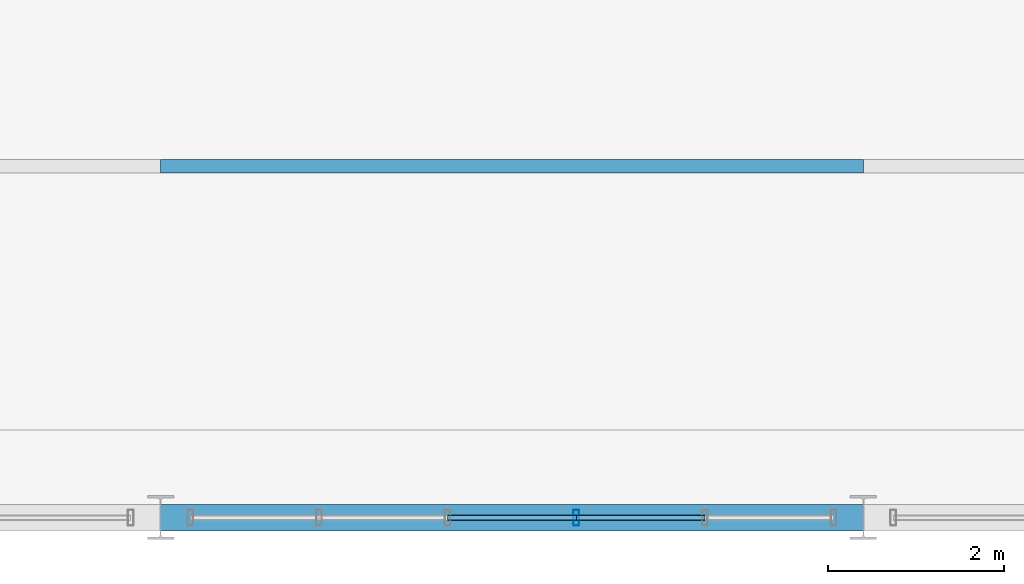
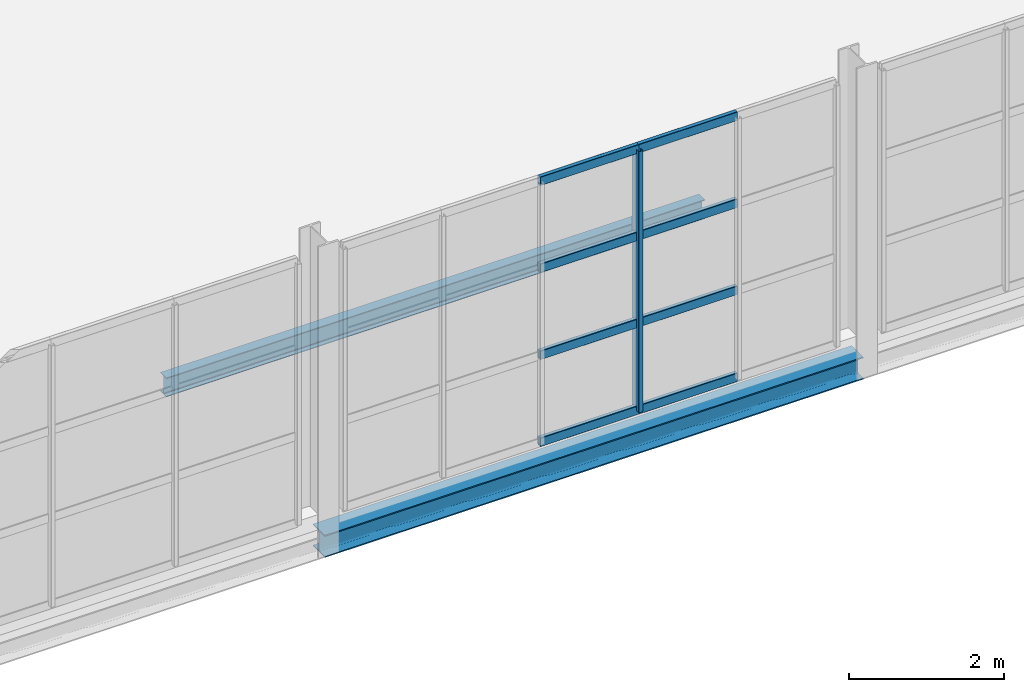
# One storey, part 67 of 153: 9 members, 2 beams, 1 element without a shape of its own.
"""IFC4 building model written with IfcOpenShell, lengths in metres."""

import ifcopenshell
import ifcopenshell.guid

model = None  # the IFC model being written
_history = None  # IfcOwnerHistory: only IFC2X3 demands one
_inside = {}  # id of a spatial element -> (the spatial element, [elements in it])
_under = {}  # id of a project, library or spatial element -> (it, [spatial elements below it])
_declared = {}  # id of a project -> (the project, [libraries it declares])
_typed = {}  # id of a type object -> (the type object, [elements of that type])
_made_of = {}  # id of a material, layer set ... -> (it, [elements and type objects made of it])


def new_model(schema):
    """Start an empty IFC model of exactly this schema.

    Asked for "IFC4X3", IfcOpenShell would pick the latest addendum, in which some entities
    have other attributes; the version numbers below select the first issue.
    IFC2X3 requires an IfcOwnerHistory on every rooted entity: one is made here for all.
    """
    global model, _history
    if schema == "IFC4X3":
        model = ifcopenshell.file(schema_version=(4, 3, 0, 0))
    else:
        model = ifcopenshell.file(schema=schema)
    _inside.clear()
    _under.clear()
    _declared.clear()
    _typed.clear()
    _made_of.clear()
    _history = None
    if model.schema == "IFC2X3":
        org = make("IfcOrganization", Name="unknown")
        user = make(
            "IfcPersonAndOrganization",
            ThePerson=make("IfcPerson", FamilyName="unknown"),
            TheOrganization=org,
        )
        app = make(
            "IfcApplication",
            ApplicationDeveloper=org,
            Version="unknown",
            ApplicationFullName="unknown",
            ApplicationIdentifier="unknown",
        )
        _history = make(
            "IfcOwnerHistory",
            OwningUser=user,
            OwningApplication=app,
            ChangeAction="ADDED",
            CreationDate=0,
        )
    return model


def make(cls, **values):
    """One entity of the class cls with the attributes given. An attribute that is None is left unset."""
    return model.create_entity(
        cls, **{name: value for name, value in values.items() if value is not None}
    )


def rooted(cls, **values):
    """An entity with a GlobalId (a new one), such as an element, a storey or a relation."""
    return make(cls, GlobalId=ifcopenshell.guid.new(), OwnerHistory=_history, **values)


def si_unit(unit_type, name, prefix=None):
    """IfcSIUnit, for example si_unit("LENGTHUNIT", "METRE", prefix="MILLI")."""
    return make("IfcSIUnit", UnitType=unit_type, Prefix=prefix, Name=name)


def derived_unit(unit_type, elements):
    """IfcDerivedUnit: a product of units, each with its exponent."""
    return make(
        "IfcDerivedUnit",
        Elements=[
            make("IfcDerivedUnitElement", Unit=unit, Exponent=power)
            for unit, power in elements
        ],
        UnitType=unit_type,
    )


def assignment(units):
    """IfcUnitAssignment: the units of a project."""
    return None if units is None else make("IfcUnitAssignment", Units=units)


def point(xyz):
    """IfcCartesianPoint."""
    return None if xyz is None else make("IfcCartesianPoint", Coordinates=xyz)


def direction(xyz):
    """IfcDirection."""
    return None if xyz is None else make("IfcDirection", DirectionRatios=xyz)


def frame(location, z_axis=None, x_axis=None):
    """IfcAxis2Placement3D, a coordinate frame: its origin and axes. An axis left out is left unset."""
    return make(
        "IfcAxis2Placement3D",
        Location=point(location),
        Axis=direction(z_axis),
        RefDirection=direction(x_axis),
    )


def frame_2d(location, x_axis=None):
    """IfcAxis2Placement2D, a coordinate frame in the plane: its origin and x axis."""
    return make(
        "IfcAxis2Placement2D", Location=point(location), RefDirection=direction(x_axis)
    )


def origin():
    """The frame at (0, 0, 0) with its axes left unset."""
    return frame((0.0, 0.0, 0.0))


def origin_2d():
    """The frame at (0, 0) in the plane with its x axis left unset."""
    return frame_2d((0.0, 0.0))


def place(relative_to, where):
    """IfcLocalPlacement: puts the frame where relative to a parent placement (None: the world)."""
    return make(
        "IfcLocalPlacement", PlacementRelTo=relative_to, RelativePlacement=where
    )


def context(
    kind, dimensions, precision=None, world=None, true_north=None, identifier=None
):
    """IfcGeometricRepresentationContext, for example the 3D "Model" context."""
    return make(
        "IfcGeometricRepresentationContext",
        ContextIdentifier=identifier,
        ContextType=kind,
        CoordinateSpaceDimension=dimensions,
        Precision=precision,
        WorldCoordinateSystem=world,
        TrueNorth=true_north,
    )


def subcontext(parent, identifier, kind, view, scale=None):
    """IfcGeometricRepresentationSubContext, for example "Body" below "Model"."""
    return make(
        "IfcGeometricRepresentationSubContext",
        ContextIdentifier=identifier,
        ContextType=kind,
        ParentContext=parent,
        TargetScale=scale,
        TargetView=view,
    )


def project(units=None, contexts=None):
    """IfcProject with its units and contexts."""
    return rooted(
        "IfcProject",
        Name="project",
        RepresentationContexts=contexts,
        UnitsInContext=assignment(units),
    )


def spatial(cls, under=None, at=None, **own):
    """A site, building, storey or space (cls), placed at a placement, below another one or the project."""
    s = rooted(cls, ObjectPlacement=at, **own)
    if under is not None:
        _under.setdefault(under.id(), (under, []))[1].append(s)
    return s


def profile(cls, at=None, kind="AREA", **sizes):
    """A parametric profile (cls). Its sizes go by their IFC names, for example OverallWidth=200.0."""
    return make(cls, ProfileType=kind, Position=at, **sizes)


def hollow_rectangle(**sizes):
    """IfcRectangleHollowProfileDef."""
    return profile("IfcRectangleHollowProfileDef", **sizes)


def i_section(**sizes):
    """IfcIShapeProfileDef."""
    return profile("IfcIShapeProfileDef", **sizes)


def extrude(swept, where, along, depth):
    """IfcExtrudedAreaSolid: the profile swept, set in the frame where, extruded along a direction by depth."""
    return make(
        "IfcExtrudedAreaSolid",
        SweptArea=swept,
        Position=where,
        ExtrudedDirection=direction(along),
        Depth=depth,
    )


def shape(context_of_items, identifier, shape_type, items):
    """IfcShapeRepresentation: the items that make up one representation, for example the "Body"."""
    return make(
        "IfcShapeRepresentation",
        ContextOfItems=context_of_items,
        RepresentationIdentifier=identifier,
        RepresentationType=shape_type,
        Items=items,
    )


def material(Name=None, Category=None):
    """IfcMaterial."""
    return make("IfcMaterial", Name=Name, Category=Category)


def material_profile(
    of_material, cross_section, Name=None, Category=None, Priority=None
):
    """IfcMaterialProfile: a cross section and its material."""
    return make(
        "IfcMaterialProfile",
        Name=Name,
        Material=of_material,
        Profile=cross_section,
        Priority=Priority,
        Category=Category,
    )


def profile_set(profiles, Name=None, composite=None):
    """IfcMaterialProfileSet."""
    return make(
        "IfcMaterialProfileSet",
        Name=Name,
        MaterialProfiles=profiles,
        CompositeProfile=composite,
    )


def made_of(thing, what):
    """Note that an element or type object is made of a material, layer set ...; save() writes the relation."""
    if what is not None:
        _made_of.setdefault(what.id(), (what, []))[1].append(thing)
    return thing


def type_object(cls, material=None, **own):
    """A type object (cls), such as IfcWallType, which elements share."""
    return made_of(rooted(cls, **own), material)


def element(
    cls,
    number,
    at=None,
    inside=None,
    cuts=None,
    type_object=None,
    material=None,
    context=None,
    identifier="Body",
    shape_type=None,
    held_by="IfcProductDefinitionShape",
    body=None,
    shapes=None,
    **own,
):
    """One element of the class cls, such as IfcWall. Its Tag is "e" and its number.

    at: its placement. inside: the storey or other place that contains it. cuts: it is an
    opening in that element (IfcRelVoidsElement). A single representation is given by context,
    identifier, shape_type and body (its items); several are given by shapes. held_by: the class
    of the entity that holds the representations. save() writes the other relations.
    """
    e = rooted(cls, Tag="e%d" % number, ObjectPlacement=at, **own)
    if body is not None:
        shapes = [shape(context, identifier, shape_type, body)]
    if shapes is not None:
        e.Representation = make(held_by, Representations=shapes)
    if inside is not None:
        _inside.setdefault(inside.id(), (inside, []))[1].append(e)
    if cuts is not None:
        rooted(
            "IfcRelVoidsElement", RelatingBuildingElement=cuts, RelatedOpeningElement=e
        )
    if type_object is not None:
        _typed.setdefault(type_object.id(), (type_object, []))[1].append(e)
    return made_of(e, material)


def aggregate(whole, parts):
    """IfcRelAggregates: a whole, such as a stair, and the parts it consists of."""
    return rooted("IfcRelAggregates", RelatingObject=whole, RelatedObjects=parts)


def save(model, path):
    """Write the relations noted so far, then the file.

    IfcRelAggregates (storeys below a building ...), IfcRelContainedInSpatialStructure (elements
    in a storey), IfcRelDefinesByType, IfcRelAssociatesMaterial and IfcRelDeclares: one each for
    every whole, place, type object, material and project.
    """
    for whole, parts in _under.values():
        aggregate(whole, parts)
    for where, things in _inside.values():
        rooted(
            "IfcRelContainedInSpatialStructure",
            RelatedElements=things,
            RelatingStructure=where,
        )
    for kind, things in _typed.values():
        rooted("IfcRelDefinesByType", RelatedObjects=things, RelatingType=kind)
    for what, things in _made_of.values():
        rooted("IfcRelAssociatesMaterial", RelatedObjects=things, RelatingMaterial=what)
    for by, libraries in _declared.values():
        rooted("IfcRelDeclares", RelatingContext=by, RelatedDefinitions=libraries)
    model.write(path)


model = new_model("IFC4")

# Units and contexts
model_context = context("Model", 3, precision=1e-05, world=origin(), true_north=direction((0.0, 1.0)))
body_context = subcontext(model_context, "Body", "Model", "MODEL_VIEW")
ifc_project = project(units=[si_unit("LENGTHUNIT", "METRE"), si_unit("AREAUNIT", "SQUARE_METRE"), si_unit("VOLUMEUNIT", "CUBIC_METRE"), si_unit("PLANEANGLEUNIT", "RADIAN"), si_unit("MASSUNIT", "GRAM", prefix="KILO"), derived_unit("THERMALTRANSMITTANCEUNIT", [(si_unit("POWERUNIT", "WATT"), 1), (si_unit("LENGTHUNIT", "METRE"), -2), (si_unit("THERMODYNAMICTEMPERATUREUNIT", "KELVIN"), -1)])], contexts=[model_context])

# Site, building, storey
site_placement = place(None, origin())
site = spatial("IfcSite", under=ifc_project, at=site_placement, CompositionType="ELEMENT")
building_placement = place(site_placement, origin())
building = spatial("IfcBuilding", under=site, at=building_placement, Name="Keldorne Ridge Multi-Sports Centre", CompositionType="ELEMENT")
storey_placement = place(building_placement, frame((0.0, 0.0, 9.60009765625)))
storey = spatial("IfcBuildingStorey", under=building, at=storey_placement, Name="L02", CompositionType="ELEMENT", Elevation=9.60009765625)

# Beams
ifc_material_1 = material(Name="Steel S355", Category="steel")
ifc_material_profile_1 = material_profile(ifc_material_1, i_section(OverallWidth=0.14990234375, OverallDepth=0.300048828125, WebThickness=0.007080078125, FlangeThickness=0.0107421875, FilletRadius=0.014892578125, at=origin_2d()), Name="IPE 300")
ifc_profile_set_1 = profile_set([ifc_material_profile_1], Name="Steel S355")
beam_type_1 = type_object("IfcBeamType", Name="BM-J-02", PredefinedType="JOIST", material=ifc_profile_set_1)
beam_1_placement = place(storey_placement, frame((112.0, 10.0, -0.39013671875), z_axis=(1.0, 0.0, 0.0), x_axis=(0.0, 1.0, 0.0)))
element("IfcBeam", 1, at=beam_1_placement, inside=storey, type_object=beam_type_1, Name="L02 Stacked Courts beam 2.2", PredefinedType="JOIST", context=body_context, shape_type="SweptSolid", body=[
    extrude(i_section(OverallWidth=0.14990234375, OverallDepth=0.300048828125, WebThickness=0.007080078125, FlangeThickness=0.0107421875, FilletRadius=0.014892578125, at=origin_2d()), origin(), (0.0, 0.0, 1.0), 8.0),
])
ifc_material_profile_2 = material_profile(ifc_material_1, i_section(OverallWidth=0.300048828125, OverallDepth=0.35009765625, WebThickness=0.010009765625, FlangeThickness=0.017578125, FilletRadius=0.027099609375, at=origin_2d()), Name="HEA 360")
ifc_profile_set_2 = profile_set([ifc_material_profile_2], Name="Steel S355")
beam_type_2 = type_object("IfcBeamType", Name="BM-SP-03", PredefinedType="SPANDREL", material=ifc_profile_set_2)
beam_2_placement = place(storey_placement, frame((112.0, 6.0, -0.4150390625), z_axis=(1.0, 0.0, 0.0), x_axis=(0.0, 1.0, 0.0)))
element("IfcBeam", 2, at=beam_2_placement, inside=storey, type_object=beam_type_2, Name="L02 Stacked Courts beam 2.1", PredefinedType="SPANDREL", context=body_context, shape_type="SweptSolid", body=[
    extrude(i_section(OverallWidth=0.300048828125, OverallDepth=0.35009765625, WebThickness=0.010009765625, FlangeThickness=0.017578125, FilletRadius=0.027099609375, at=origin_2d()), origin(), (0.0, 0.0, 1.0), 8.0),
])

# Curtain wall, members
ifc_material_2 = material(Name="Anodized aluminium", Category="aluminium")
curtain_wall_type = type_object("IfcCurtainWallType", Name="CW-CW-07", PredefinedType="NOTDEFINED", material=ifc_material_2)
curtain_wall_placement = place(storey_placement, origin())
curtain_wall = element("IfcCurtainWall", 3, at=curtain_wall_placement, inside=storey, type_object=curtain_wall_type, Name="Upper Courts south curtain wall 095", PredefinedType="NOTDEFINED")
ifc_material_profile_3 = material_profile(ifc_material_2, hollow_rectangle(XDim=0.06494140625, YDim=0.179931640625, WallThickness=0.00439453125, InnerFilletRadius=0.00439453125, OuterFilletRadius=0.009033203125, at=origin_2d()), Name="ALU MULLION 180x65x4.5")
ifc_profile_set_3 = profile_set([ifc_material_profile_3], Name="Anodized aluminium")
member_type_1 = type_object("IfcMemberType", Name="MEM-ML-01", PredefinedType="MULLION", material=ifc_profile_set_3)
member_1_placement = place(storey_placement, frame((116.73193359375, 6.0, 0.0), z_axis=(0.0, 0.0, 1.0), x_axis=(1.0, 0.0, 0.0)))
member_1 = element("IfcMember", 4, at=member_1_placement, type_object=member_type_1, Name="CW-095 vertical mullion 4", PredefinedType="MULLION", context=body_context, shape_type="SweptSolid", body=[
    extrude(hollow_rectangle(XDim=0.06494140625, YDim=0.179931640625, WallThickness=0.00439453125, InnerFilletRadius=0.00439453125, OuterFilletRadius=0.009033203125, at=origin_2d()), origin(), (0.0, 0.0, 1.0), 4.099853515625),
])
ifc_material_profile_4 = material_profile(ifc_material_2, hollow_rectangle(XDim=0.06494140625, YDim=0.139892578125, WallThickness=0.00439453125, InnerFilletRadius=0.00439453125, OuterFilletRadius=0.009033203125, at=origin_2d()), Name="ALU TRANSOM 140x65x4.5")
ifc_profile_set_4 = profile_set([ifc_material_profile_4], Name="Anodized aluminium")
member_type_2 = type_object("IfcMemberType", Name="MEM-TR-01", PredefinedType="USERDEFINED", material=ifc_profile_set_4)
member_2_placement = place(storey_placement, frame((115.26806640625, 6.0, 0.0), z_axis=(1.0, 0.0, 0.0), x_axis=(0.0, 1.0, 0.0)))
member_2 = element("IfcMember", 5, at=member_2_placement, type_object=member_type_2, Name="CW-095 transom 3.1", ObjectType="TRANSOM", PredefinedType="USERDEFINED", context=body_context, shape_type="SweptSolid", body=[
    extrude(hollow_rectangle(XDim=0.06494140625, YDim=0.139892578125, WallThickness=0.00439453125, InnerFilletRadius=0.00439453125, OuterFilletRadius=0.009033203125, at=origin_2d()), origin(), (0.0, 0.0, 1.0), 1.4638671875),
])
member_3_placement = place(storey_placement, frame((115.26806640625, 6.0, 1.36669921875), z_axis=(1.0, 0.0, 0.0), x_axis=(0.0, 1.0, 0.0)))
member_3 = element("IfcMember", 6, at=member_3_placement, type_object=member_type_2, Name="CW-095 transom 3.2", ObjectType="TRANSOM", PredefinedType="USERDEFINED", context=body_context, shape_type="SweptSolid", body=[
    extrude(hollow_rectangle(XDim=0.06494140625, YDim=0.139892578125, WallThickness=0.00439453125, InnerFilletRadius=0.00439453125, OuterFilletRadius=0.009033203125, at=origin_2d()), origin(), (0.0, 0.0, 1.0), 1.4638671875),
])
member_4_placement = place(storey_placement, frame((115.26806640625, 6.0, 2.733154296875), z_axis=(1.0, 0.0, 0.0), x_axis=(0.0, 1.0, 0.0)))
member_4 = element("IfcMember", 7, at=member_4_placement, type_object=member_type_2, Name="CW-095 transom 3.3", ObjectType="TRANSOM", PredefinedType="USERDEFINED", context=body_context, shape_type="SweptSolid", body=[
    extrude(hollow_rectangle(XDim=0.06494140625, YDim=0.139892578125, WallThickness=0.00439453125, InnerFilletRadius=0.00439453125, OuterFilletRadius=0.009033203125, at=origin_2d()), origin(), (0.0, 0.0, 1.0), 1.4638671875),
])
member_5_placement = place(storey_placement, frame((115.26806640625, 6.0, 4.099853515625), z_axis=(1.0, 0.0, 0.0), x_axis=(0.0, 1.0, 0.0)))
member_5 = element("IfcMember", 8, at=member_5_placement, type_object=member_type_2, Name="CW-095 transom 3.4", ObjectType="TRANSOM", PredefinedType="USERDEFINED", context=body_context, shape_type="SweptSolid", body=[
    extrude(hollow_rectangle(XDim=0.06494140625, YDim=0.139892578125, WallThickness=0.00439453125, InnerFilletRadius=0.00439453125, OuterFilletRadius=0.009033203125, at=origin_2d()), origin(), (0.0, 0.0, 1.0), 1.4638671875),
])
member_6_placement = place(storey_placement, frame((116.73193359375, 6.0, 0.0), z_axis=(1.0, 0.0, 0.0), x_axis=(0.0, 1.0, 0.0)))
member_6 = element("IfcMember", 9, at=member_6_placement, type_object=member_type_2, Name="CW-095 transom 4.1", ObjectType="TRANSOM", PredefinedType="USERDEFINED", context=body_context, shape_type="SweptSolid", body=[
    extrude(hollow_rectangle(XDim=0.06494140625, YDim=0.139892578125, WallThickness=0.00439453125, InnerFilletRadius=0.00439453125, OuterFilletRadius=0.009033203125, at=origin_2d()), origin(), (0.0, 0.0, 1.0), 1.464111328125),
])
member_7_placement = place(storey_placement, frame((116.73193359375, 6.0, 1.36669921875), z_axis=(1.0, 0.0, 0.0), x_axis=(0.0, 1.0, 0.0)))
member_7 = element("IfcMember", 10, at=member_7_placement, type_object=member_type_2, Name="CW-095 transom 4.2", ObjectType="TRANSOM", PredefinedType="USERDEFINED", context=body_context, shape_type="SweptSolid", body=[
    extrude(hollow_rectangle(XDim=0.06494140625, YDim=0.139892578125, WallThickness=0.00439453125, InnerFilletRadius=0.00439453125, OuterFilletRadius=0.009033203125, at=origin_2d()), origin(), (0.0, 0.0, 1.0), 1.464111328125),
])
member_8_placement = place(storey_placement, frame((116.73193359375, 6.0, 2.733154296875), z_axis=(1.0, 0.0, 0.0), x_axis=(0.0, 1.0, 0.0)))
member_8 = element("IfcMember", 11, at=member_8_placement, type_object=member_type_2, Name="CW-095 transom 4.3", ObjectType="TRANSOM", PredefinedType="USERDEFINED", context=body_context, shape_type="SweptSolid", body=[
    extrude(hollow_rectangle(XDim=0.06494140625, YDim=0.139892578125, WallThickness=0.00439453125, InnerFilletRadius=0.00439453125, OuterFilletRadius=0.009033203125, at=origin_2d()), origin(), (0.0, 0.0, 1.0), 1.464111328125),
])
member_9_placement = place(storey_placement, frame((116.73193359375, 6.0, 4.099853515625), z_axis=(1.0, 0.0, 0.0), x_axis=(0.0, 1.0, 0.0)))
member_9 = element("IfcMember", 12, at=member_9_placement, type_object=member_type_2, Name="CW-095 transom 4.4", ObjectType="TRANSOM", PredefinedType="USERDEFINED", context=body_context, shape_type="SweptSolid", body=[
    extrude(hollow_rectangle(XDim=0.06494140625, YDim=0.139892578125, WallThickness=0.00439453125, InnerFilletRadius=0.00439453125, OuterFilletRadius=0.009033203125, at=origin_2d()), origin(), (0.0, 0.0, 1.0), 1.464111328125),
])
aggregate(curtain_wall, [member_1, member_2, member_3, member_4, member_5, member_6, member_7, member_8, member_9])

save(model, "model.ifc")
